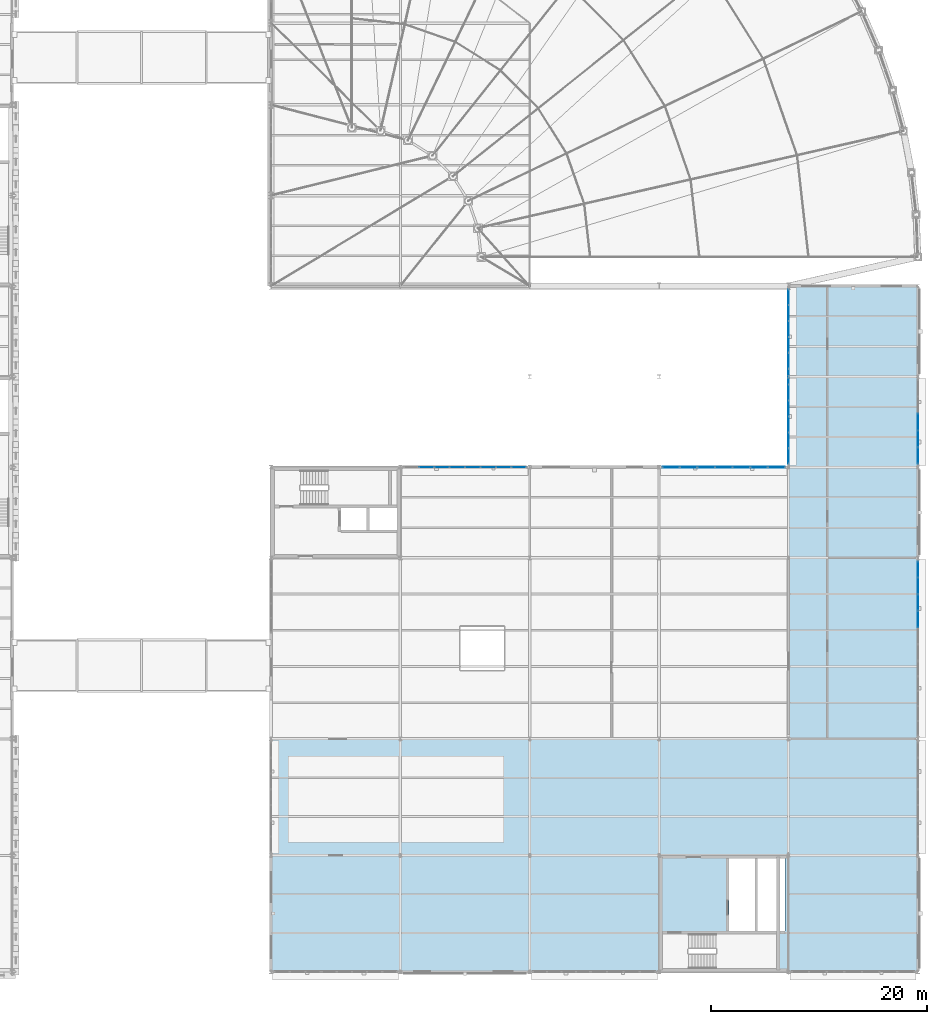
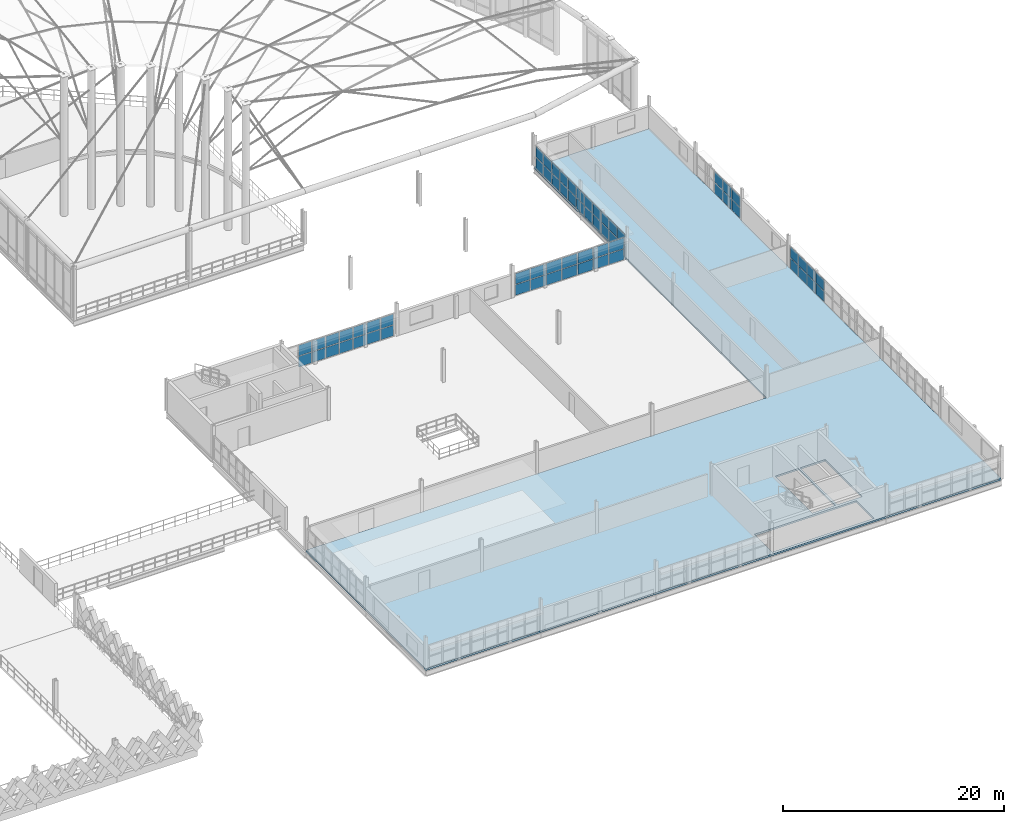
# One storey, part 71 of 101: 64 plates, 1 slab, 5 elements without a shape of their own.
"""IFC4 building model written with IfcOpenShell, lengths in metres."""

from ifc_helpers import new_model, si_unit, direction, frame, origin, origin_2d, place, context, subcontext, project, spatial, polyline, rectangle, outline, extrude, material, layer, layer_set, type_object, element, aggregate, save


model = new_model("IFC4")

# Units and contexts
model_context = context("Model", 3, precision=1e-05, world=origin(), true_north=direction((0.0, 1.0)))
body_context = subcontext(model_context, "Body", "Model", "MODEL_VIEW")
ifc_project = project(units=[si_unit("LENGTHUNIT", "METRE"), si_unit("AREAUNIT", "SQUARE_METRE"), si_unit("VOLUMEUNIT", "CUBIC_METRE"), si_unit("PLANEANGLEUNIT", "RADIAN"), si_unit("MASSUNIT", "GRAM", prefix="KILO"), si_unit("THERMODYNAMICTEMPERATUREUNIT", "KELVIN"), si_unit("POWERUNIT", "WATT")], contexts=[model_context])

# Site, building, storey
site_placement = place(None, origin())
site = spatial("IfcSite", under=ifc_project, at=site_placement, CompositionType="ELEMENT")
building_placement = place(site_placement, origin())
building = spatial("IfcBuilding", under=site, at=building_placement, Name="Tembeka Court Mobility Hub", CompositionType="ELEMENT")
storey_placement = place(building_placement, frame((0.0, 0.0, 5.39990234375)))
storey = spatial("IfcBuildingStorey", under=building, at=storey_placement, Name="L01", CompositionType="ELEMENT", Elevation=5.39990234375)

# Curtain wall, plates
ifc_material_1 = material(Name="Anodised aluminium 6063-T6", Category="aluminium")
ifc_layer_1 = layer(ifc_material_1, 0.159912109375)
ifc_layer_set_1 = layer_set([ifc_layer_1], Name="Anodised aluminium 6063-T6")
curtain_wall_type_1 = type_object("IfcCurtainWallType", Name="CW-SYS45", PredefinedType="USERDEFINED", material=ifc_layer_set_1)
curtain_wall_1_placement = place(storey_placement, origin())
curtain_wall_1 = element("IfcCurtainWall", 1, at=curtain_wall_1_placement, inside=storey, type_object=curtain_wall_type_1, Name="Unitised curtain wall CW45 (CW-L01-113)", ObjectType="UNITISED GLAZING", PredefinedType="USERDEFINED")
ifc_material_2 = material(Name="Laminated solar-control low-E glass", Category="glass")
ifc_layer_2 = layer(ifc_material_2, 0.028076171875)
ifc_layer_set_2 = layer_set([ifc_layer_2], Name="Laminated solar-control low-E glass")
plate_type_1 = type_object("IfcPlateType", Name="PL-CW01", PredefinedType="CURTAIN_PANEL", material=ifc_layer_set_2)
plate_1_placement = place(storey_placement, frame((176.39990234375, 47.88037109375, 0.065185546875), z_axis=(0.0, 0.0, 1.0), x_axis=(0.0, 1.0, 0.0)))
plate_1 = element("IfcPlate", 2, at=plate_1_placement, type_object=plate_type_1, Name="CW45 panel 1.1", PredefinedType="CURTAIN_PANEL", context=body_context, shape_type="SweptSolid", body=[
    extrude(rectangle(XDim=1.470458984375, YDim=0.028076171875, at=origin_2d()), origin(), (0.0, 0.0, 1.0), 1.169921875),
])
plate_2_placement = place(storey_placement, frame((176.39990234375, 47.88037109375, 1.300048828125), z_axis=(0.0, 0.0, 1.0), x_axis=(0.0, 1.0, 0.0)))
plate_2 = element("IfcPlate", 3, at=plate_2_placement, type_object=plate_type_1, Name="CW45 panel 1.2", PredefinedType="CURTAIN_PANEL", context=body_context, shape_type="SweptSolid", body=[
    extrude(rectangle(XDim=1.470458984375, YDim=0.028076171875, at=origin_2d()), origin(), (0.0, 0.0, 1.0), 1.169921875),
])
plate_3_placement = place(storey_placement, frame((176.39990234375, 49.431884765625, 0.065185546875), z_axis=(0.0, 0.0, 1.0), x_axis=(0.0, 1.0, 0.0)))
plate_3 = element("IfcPlate", 4, at=plate_3_placement, type_object=plate_type_1, Name="CW45 panel 2.1", PredefinedType="CURTAIN_PANEL", context=body_context, shape_type="SweptSolid", body=[
    extrude(rectangle(XDim=1.5029296875, YDim=0.028076171875, at=origin_2d()), origin(), (0.0, 0.0, 1.0), 1.169921875),
])
plate_4_placement = place(storey_placement, frame((176.39990234375, 49.431884765625, 1.300048828125), z_axis=(0.0, 0.0, 1.0), x_axis=(0.0, 1.0, 0.0)))
plate_4 = element("IfcPlate", 5, at=plate_4_placement, type_object=plate_type_1, Name="CW45 panel 2.2", PredefinedType="CURTAIN_PANEL", context=body_context, shape_type="SweptSolid", body=[
    extrude(rectangle(XDim=1.5029296875, YDim=0.028076171875, at=origin_2d()), origin(), (0.0, 0.0, 1.0), 1.169921875),
])
plate_5_placement = place(storey_placement, frame((176.39990234375, 51.0, 0.065185546875), z_axis=(0.0, 0.0, 1.0), x_axis=(0.0, 1.0, 0.0)))
plate_5 = element("IfcPlate", 6, at=plate_5_placement, type_object=plate_type_1, Name="CW45 panel 3.1", PredefinedType="CURTAIN_PANEL", context=body_context, shape_type="SweptSolid", body=[
    extrude(rectangle(XDim=1.5029296875, YDim=0.028076171875, at=origin_2d()), origin(), (0.0, 0.0, 1.0), 1.169921875),
])
plate_6_placement = place(storey_placement, frame((176.39990234375, 51.0, 1.300048828125), z_axis=(0.0, 0.0, 1.0), x_axis=(0.0, 1.0, 0.0)))
plate_6 = element("IfcPlate", 7, at=plate_6_placement, type_object=plate_type_1, Name="CW45 panel 3.2", PredefinedType="CURTAIN_PANEL", context=body_context, shape_type="SweptSolid", body=[
    extrude(rectangle(XDim=1.5029296875, YDim=0.028076171875, at=origin_2d()), origin(), (0.0, 0.0, 1.0), 1.169921875),
])
aggregate(curtain_wall_1, [plate_1, plate_2, plate_3, plate_4, plate_5, plate_6])

ifc_layer_3 = layer(ifc_material_1, 0.159912109375)
ifc_layer_set_3 = layer_set([ifc_layer_3], Name="Anodised aluminium 6063-T6")
curtain_wall_type_2 = type_object("IfcCurtainWallType", Name="CW-SYS46", PredefinedType="USERDEFINED", material=ifc_layer_set_3)
curtain_wall_2_placement = place(storey_placement, origin())
curtain_wall_2 = element("IfcCurtainWall", 8, at=curtain_wall_2_placement, inside=storey, type_object=curtain_wall_type_2, Name="Unitised curtain wall CW46 (CW-L01-114)", ObjectType="UNITISED GLAZING", PredefinedType="USERDEFINED")
plate_7_placement = place(storey_placement, frame((164.39990234375, 47.83447265625, 0.065185546875), z_axis=(0.0, 0.0, 1.0), x_axis=(0.0, 1.0, 0.0)))
plate_7 = element("IfcPlate", 9, at=plate_7_placement, type_object=plate_type_1, Name="CW46 panel 1.1", PredefinedType="CURTAIN_PANEL", context=body_context, shape_type="SweptSolid", body=[
    extrude(rectangle(XDim=1.37890625, YDim=0.028076171875, at=origin_2d()), origin(), (0.0, 0.0, 1.0), 1.169921875),
])
plate_8_placement = place(storey_placement, frame((164.39990234375, 47.83447265625, 1.300048828125), z_axis=(0.0, 0.0, 1.0), x_axis=(0.0, 1.0, 0.0)))
plate_8 = element("IfcPlate", 10, at=plate_8_placement, type_object=plate_type_1, Name="CW46 panel 1.2", PredefinedType="CURTAIN_PANEL", context=body_context, shape_type="SweptSolid", body=[
    extrude(rectangle(XDim=1.37890625, YDim=0.028076171875, at=origin_2d()), origin(), (0.0, 0.0, 1.0), 1.169921875),
])
plate_9_placement = place(storey_placement, frame((164.39990234375, 49.29443359375, 0.065185546875), z_axis=(0.0, 0.0, 1.0), x_axis=(0.0, 1.0, 0.0)))
plate_9 = element("IfcPlate", 11, at=plate_9_placement, type_object=plate_type_1, Name="CW46 panel 2.1", PredefinedType="CURTAIN_PANEL", context=body_context, shape_type="SweptSolid", body=[
    extrude(rectangle(XDim=1.411376953125, YDim=0.028076171875, at=origin_2d()), origin(), (0.0, 0.0, 1.0), 1.169921875),
])
plate_10_placement = place(storey_placement, frame((164.39990234375, 49.29443359375, 1.300048828125), z_axis=(0.0, 0.0, 1.0), x_axis=(0.0, 1.0, 0.0)))
plate_10 = element("IfcPlate", 12, at=plate_10_placement, type_object=plate_type_1, Name="CW46 panel 2.2", PredefinedType="CURTAIN_PANEL", context=body_context, shape_type="SweptSolid", body=[
    extrude(rectangle(XDim=1.411376953125, YDim=0.028076171875, at=origin_2d()), origin(), (0.0, 0.0, 1.0), 1.169921875),
])
plate_11_placement = place(storey_placement, frame((164.39990234375, 50.77099609375, 0.065185546875), z_axis=(0.0, 0.0, 1.0), x_axis=(0.0, 1.0, 0.0)))
plate_11 = element("IfcPlate", 13, at=plate_11_placement, type_object=plate_type_1, Name="CW46 panel 3.1", PredefinedType="CURTAIN_PANEL", context=body_context, shape_type="SweptSolid", body=[
    extrude(rectangle(XDim=1.411376953125, YDim=0.028076171875, at=origin_2d()), origin(), (0.0, 0.0, 1.0), 1.169921875),
])
plate_12_placement = place(storey_placement, frame((164.39990234375, 50.77099609375, 1.300048828125), z_axis=(0.0, 0.0, 1.0), x_axis=(0.0, 1.0, 0.0)))
plate_12 = element("IfcPlate", 14, at=plate_12_placement, type_object=plate_type_1, Name="CW46 panel 3.2", PredefinedType="CURTAIN_PANEL", context=body_context, shape_type="SweptSolid", body=[
    extrude(rectangle(XDim=1.411376953125, YDim=0.028076171875, at=origin_2d()), origin(), (0.0, 0.0, 1.0), 1.169921875),
])
plate_13_placement = place(storey_placement, frame((164.39990234375, 52.247314453125, 0.065185546875), z_axis=(0.0, 0.0, 1.0), x_axis=(0.0, 1.0, 0.0)))
plate_13 = element("IfcPlate", 15, at=plate_13_placement, type_object=plate_type_1, Name="CW46 panel 4.1", PredefinedType="CURTAIN_PANEL", context=body_context, shape_type="SweptSolid", body=[
    extrude(rectangle(XDim=1.411376953125, YDim=0.028076171875, at=origin_2d()), origin(), (0.0, 0.0, 1.0), 1.169921875),
])
plate_14_placement = place(storey_placement, frame((164.39990234375, 52.247314453125, 1.300048828125), z_axis=(0.0, 0.0, 1.0), x_axis=(0.0, 1.0, 0.0)))
plate_14 = element("IfcPlate", 16, at=plate_14_placement, type_object=plate_type_1, Name="CW46 panel 4.2", PredefinedType="CURTAIN_PANEL", context=body_context, shape_type="SweptSolid", body=[
    extrude(rectangle(XDim=1.411376953125, YDim=0.028076171875, at=origin_2d()), origin(), (0.0, 0.0, 1.0), 1.169921875),
])
plate_15_placement = place(storey_placement, frame((164.39990234375, 53.7236328125, 0.065185546875), z_axis=(0.0, 0.0, 1.0), x_axis=(0.0, 1.0, 0.0)))
plate_15 = element("IfcPlate", 17, at=plate_15_placement, type_object=plate_type_1, Name="CW46 panel 5.1", PredefinedType="CURTAIN_PANEL", context=body_context, shape_type="SweptSolid", body=[
    extrude(rectangle(XDim=1.411376953125, YDim=0.028076171875, at=origin_2d()), origin(), (0.0, 0.0, 1.0), 1.169921875),
])
plate_16_placement = place(storey_placement, frame((164.39990234375, 53.7236328125, 1.300048828125), z_axis=(0.0, 0.0, 1.0), x_axis=(0.0, 1.0, 0.0)))
plate_16 = element("IfcPlate", 18, at=plate_16_placement, type_object=plate_type_1, Name="CW46 panel 5.2", PredefinedType="CURTAIN_PANEL", context=body_context, shape_type="SweptSolid", body=[
    extrude(rectangle(XDim=1.411376953125, YDim=0.028076171875, at=origin_2d()), origin(), (0.0, 0.0, 1.0), 1.169921875),
])
plate_17_placement = place(storey_placement, frame((164.39990234375, 55.199951171875, 0.065185546875), z_axis=(0.0, 0.0, 1.0), x_axis=(0.0, 1.0, 0.0)))
plate_17 = element("IfcPlate", 19, at=plate_17_placement, type_object=plate_type_1, Name="CW46 panel 6.1", PredefinedType="CURTAIN_PANEL", context=body_context, shape_type="SweptSolid", body=[
    extrude(rectangle(XDim=1.411376953125, YDim=0.028076171875, at=origin_2d()), origin(), (0.0, 0.0, 1.0), 1.169921875),
])
plate_18_placement = place(storey_placement, frame((164.39990234375, 55.199951171875, 1.300048828125), z_axis=(0.0, 0.0, 1.0), x_axis=(0.0, 1.0, 0.0)))
plate_18 = element("IfcPlate", 20, at=plate_18_placement, type_object=plate_type_1, Name="CW46 panel 6.2", PredefinedType="CURTAIN_PANEL", context=body_context, shape_type="SweptSolid", body=[
    extrude(rectangle(XDim=1.411376953125, YDim=0.028076171875, at=origin_2d()), origin(), (0.0, 0.0, 1.0), 1.169921875),
])
plate_19_placement = place(storey_placement, frame((164.39990234375, 56.67626953125, 0.065185546875), z_axis=(0.0, 0.0, 1.0), x_axis=(0.0, 1.0, 0.0)))
plate_19 = element("IfcPlate", 21, at=plate_19_placement, type_object=plate_type_1, Name="CW46 panel 7.1", PredefinedType="CURTAIN_PANEL", context=body_context, shape_type="SweptSolid", body=[
    extrude(rectangle(XDim=1.411376953125, YDim=0.028076171875, at=origin_2d()), origin(), (0.0, 0.0, 1.0), 1.169921875),
])
plate_20_placement = place(storey_placement, frame((164.39990234375, 56.67626953125, 1.300048828125), z_axis=(0.0, 0.0, 1.0), x_axis=(0.0, 1.0, 0.0)))
plate_20 = element("IfcPlate", 22, at=plate_20_placement, type_object=plate_type_1, Name="CW46 panel 7.2", PredefinedType="CURTAIN_PANEL", context=body_context, shape_type="SweptSolid", body=[
    extrude(rectangle(XDim=1.411376953125, YDim=0.028076171875, at=origin_2d()), origin(), (0.0, 0.0, 1.0), 1.169921875),
])
plate_21_placement = place(storey_placement, frame((164.39990234375, 58.15283203125, 0.065185546875), z_axis=(0.0, 0.0, 1.0), x_axis=(0.0, 1.0, 0.0)))
plate_21 = element("IfcPlate", 23, at=plate_21_placement, type_object=plate_type_1, Name="CW46 panel 8.1", PredefinedType="CURTAIN_PANEL", context=body_context, shape_type="SweptSolid", body=[
    extrude(rectangle(XDim=1.411376953125, YDim=0.028076171875, at=origin_2d()), origin(), (0.0, 0.0, 1.0), 1.169921875),
])
plate_22_placement = place(storey_placement, frame((164.39990234375, 58.15283203125, 1.300048828125), z_axis=(0.0, 0.0, 1.0), x_axis=(0.0, 1.0, 0.0)))
plate_22 = element("IfcPlate", 24, at=plate_22_placement, type_object=plate_type_1, Name="CW46 panel 8.2", PredefinedType="CURTAIN_PANEL", context=body_context, shape_type="SweptSolid", body=[
    extrude(rectangle(XDim=1.411376953125, YDim=0.028076171875, at=origin_2d()), origin(), (0.0, 0.0, 1.0), 1.169921875),
])
plate_23_placement = place(storey_placement, frame((164.39990234375, 59.629150390625, 0.065185546875), z_axis=(0.0, 0.0, 1.0), x_axis=(0.0, 1.0, 0.0)))
plate_23 = element("IfcPlate", 25, at=plate_23_placement, type_object=plate_type_1, Name="CW46 panel 9.1", PredefinedType="CURTAIN_PANEL", context=body_context, shape_type="SweptSolid", body=[
    extrude(rectangle(XDim=1.411376953125, YDim=0.028076171875, at=origin_2d()), origin(), (0.0, 0.0, 1.0), 1.169921875),
])
plate_24_placement = place(storey_placement, frame((164.39990234375, 59.629150390625, 1.300048828125), z_axis=(0.0, 0.0, 1.0), x_axis=(0.0, 1.0, 0.0)))
plate_24 = element("IfcPlate", 26, at=plate_24_placement, type_object=plate_type_1, Name="CW46 panel 9.2", PredefinedType="CURTAIN_PANEL", context=body_context, shape_type="SweptSolid", body=[
    extrude(rectangle(XDim=1.411376953125, YDim=0.028076171875, at=origin_2d()), origin(), (0.0, 0.0, 1.0), 1.169921875),
])
plate_25_placement = place(storey_placement, frame((164.39990234375, 61.10546875, 0.065185546875), z_axis=(0.0, 0.0, 1.0), x_axis=(0.0, 1.0, 0.0)))
plate_25 = element("IfcPlate", 27, at=plate_25_placement, type_object=plate_type_1, Name="CW46 panel 10.1", PredefinedType="CURTAIN_PANEL", context=body_context, shape_type="SweptSolid", body=[
    extrude(rectangle(XDim=1.411376953125, YDim=0.028076171875, at=origin_2d()), origin(), (0.0, 0.0, 1.0), 1.169921875),
])
plate_26_placement = place(storey_placement, frame((164.39990234375, 61.10546875, 1.300048828125), z_axis=(0.0, 0.0, 1.0), x_axis=(0.0, 1.0, 0.0)))
plate_26 = element("IfcPlate", 28, at=plate_26_placement, type_object=plate_type_1, Name="CW46 panel 10.2", PredefinedType="CURTAIN_PANEL", context=body_context, shape_type="SweptSolid", body=[
    extrude(rectangle(XDim=1.411376953125, YDim=0.028076171875, at=origin_2d()), origin(), (0.0, 0.0, 1.0), 1.169921875),
])
plate_27_placement = place(storey_placement, frame((164.39990234375, 62.565673828125, 0.065185546875), z_axis=(0.0, 0.0, 1.0), x_axis=(0.0, 1.0, 0.0)))
plate_27 = element("IfcPlate", 29, at=plate_27_placement, type_object=plate_type_1, Name="CW46 panel 11.1", PredefinedType="CURTAIN_PANEL", context=body_context, shape_type="SweptSolid", body=[
    extrude(rectangle(XDim=1.37890625, YDim=0.028076171875, at=origin_2d()), origin(), (0.0, 0.0, 1.0), 1.169921875),
])
plate_28_placement = place(storey_placement, frame((164.39990234375, 62.565673828125, 1.300048828125), z_axis=(0.0, 0.0, 1.0), x_axis=(0.0, 1.0, 0.0)))
plate_28 = element("IfcPlate", 30, at=plate_28_placement, type_object=plate_type_1, Name="CW46 panel 11.2", PredefinedType="CURTAIN_PANEL", context=body_context, shape_type="SweptSolid", body=[
    extrude(rectangle(XDim=1.37890625, YDim=0.028076171875, at=origin_2d()), origin(), (0.0, 0.0, 1.0), 1.169921875),
])
aggregate(curtain_wall_2, [plate_7, plate_8, plate_9, plate_10, plate_11, plate_12, plate_13, plate_14, plate_15, plate_16, plate_17, plate_18, plate_19, plate_20, plate_21, plate_22, plate_23, plate_24, plate_25, plate_26, plate_27, plate_28])

ifc_layer_4 = layer(ifc_material_1, 0.159912109375)
ifc_layer_set_4 = layer_set([ifc_layer_4], Name="Anodised aluminium 6063-T6")
curtain_wall_type_3 = type_object("IfcCurtainWallType", Name="CW-SYS41", PredefinedType="USERDEFINED", material=ifc_layer_set_4)
curtain_wall_3_placement = place(storey_placement, origin())
curtain_wall_3 = element("IfcCurtainWall", 31, at=curtain_wall_3_placement, inside=storey, type_object=curtain_wall_type_3, Name="Unitised curtain wall CW41 (CW-L01-115)", ObjectType="UNITISED GLAZING", PredefinedType="USERDEFINED")
plate_29_placement = place(storey_placement, frame((130.824951171875, 46.800048828125, 0.065185546875), z_axis=(0.0, 0.0, 1.0), x_axis=(1.0, 0.0, 0.0)))
plate_29 = element("IfcPlate", 32, at=plate_29_placement, type_object=plate_type_1, Name="CW41 panel 2.1", PredefinedType="CURTAIN_PANEL", context=body_context, shape_type="SweptSolid", body=[
    extrude(rectangle(XDim=1.364990234375, YDim=0.028076171875, at=origin_2d()), origin(), (0.0, 0.0, 1.0), 1.169921875),
])
plate_30_placement = place(storey_placement, frame((130.824951171875, 46.800048828125, 1.300048828125), z_axis=(0.0, 0.0, 1.0), x_axis=(1.0, 0.0, 0.0)))
plate_30 = element("IfcPlate", 33, at=plate_30_placement, type_object=plate_type_1, Name="CW41 panel 2.2", PredefinedType="CURTAIN_PANEL", context=body_context, shape_type="SweptSolid", body=[
    extrude(rectangle(XDim=1.364990234375, YDim=0.028076171875, at=origin_2d()), origin(), (0.0, 0.0, 1.0), 1.169921875),
])
plate_31_placement = place(storey_placement, frame((132.2548828125, 46.800048828125, 0.065185546875), z_axis=(0.0, 0.0, 1.0), x_axis=(1.0, 0.0, 0.0)))
plate_31 = element("IfcPlate", 34, at=plate_31_placement, type_object=plate_type_1, Name="CW41 panel 3.1", PredefinedType="CURTAIN_PANEL", context=body_context, shape_type="SweptSolid", body=[
    extrude(rectangle(XDim=1.364990234375, YDim=0.028076171875, at=origin_2d()), origin(), (0.0, 0.0, 1.0), 1.169921875),
])
plate_32_placement = place(storey_placement, frame((132.2548828125, 46.800048828125, 1.300048828125), z_axis=(0.0, 0.0, 1.0), x_axis=(1.0, 0.0, 0.0)))
plate_32 = element("IfcPlate", 35, at=plate_32_placement, type_object=plate_type_1, Name="CW41 panel 3.2", PredefinedType="CURTAIN_PANEL", context=body_context, shape_type="SweptSolid", body=[
    extrude(rectangle(XDim=1.364990234375, YDim=0.028076171875, at=origin_2d()), origin(), (0.0, 0.0, 1.0), 1.169921875),
])
plate_33_placement = place(storey_placement, frame((133.68505859375, 46.800048828125, 0.065185546875), z_axis=(0.0, 0.0, 1.0), x_axis=(1.0, 0.0, 0.0)))
plate_33 = element("IfcPlate", 36, at=plate_33_placement, type_object=plate_type_1, Name="CW41 panel 4.1", PredefinedType="CURTAIN_PANEL", context=body_context, shape_type="SweptSolid", body=[
    extrude(rectangle(XDim=1.364990234375, YDim=0.028076171875, at=origin_2d()), origin(), (0.0, 0.0, 1.0), 1.169921875),
])
plate_34_placement = place(storey_placement, frame((133.68505859375, 46.800048828125, 1.300048828125), z_axis=(0.0, 0.0, 1.0), x_axis=(1.0, 0.0, 0.0)))
plate_34 = element("IfcPlate", 37, at=plate_34_placement, type_object=plate_type_1, Name="CW41 panel 4.2", PredefinedType="CURTAIN_PANEL", context=body_context, shape_type="SweptSolid", body=[
    extrude(rectangle(XDim=1.364990234375, YDim=0.028076171875, at=origin_2d()), origin(), (0.0, 0.0, 1.0), 1.169921875),
])
plate_35_placement = place(storey_placement, frame((135.114990234375, 46.800048828125, 0.065185546875), z_axis=(0.0, 0.0, 1.0), x_axis=(1.0, 0.0, 0.0)))
plate_35 = element("IfcPlate", 38, at=plate_35_placement, type_object=plate_type_1, Name="CW41 panel 5.1", PredefinedType="CURTAIN_PANEL", context=body_context, shape_type="SweptSolid", body=[
    extrude(rectangle(XDim=1.364990234375, YDim=0.028076171875, at=origin_2d()), origin(), (0.0, 0.0, 1.0), 1.169921875),
])
plate_36_placement = place(storey_placement, frame((135.114990234375, 46.800048828125, 1.300048828125), z_axis=(0.0, 0.0, 1.0), x_axis=(1.0, 0.0, 0.0)))
plate_36 = element("IfcPlate", 39, at=plate_36_placement, type_object=plate_type_1, Name="CW41 panel 5.2", PredefinedType="CURTAIN_PANEL", context=body_context, shape_type="SweptSolid", body=[
    extrude(rectangle(XDim=1.364990234375, YDim=0.028076171875, at=origin_2d()), origin(), (0.0, 0.0, 1.0), 1.169921875),
])
plate_37_placement = place(storey_placement, frame((136.544921875, 46.800048828125, 0.065185546875), z_axis=(0.0, 0.0, 1.0), x_axis=(1.0, 0.0, 0.0)))
plate_37 = element("IfcPlate", 40, at=plate_37_placement, type_object=plate_type_1, Name="CW41 panel 6.1", PredefinedType="CURTAIN_PANEL", context=body_context, shape_type="SweptSolid", body=[
    extrude(rectangle(XDim=1.364990234375, YDim=0.028076171875, at=origin_2d()), origin(), (0.0, 0.0, 1.0), 1.169921875),
])
plate_38_placement = place(storey_placement, frame((136.544921875, 46.800048828125, 1.300048828125), z_axis=(0.0, 0.0, 1.0), x_axis=(1.0, 0.0, 0.0)))
plate_38 = element("IfcPlate", 41, at=plate_38_placement, type_object=plate_type_1, Name="CW41 panel 6.2", PredefinedType="CURTAIN_PANEL", context=body_context, shape_type="SweptSolid", body=[
    extrude(rectangle(XDim=1.364990234375, YDim=0.028076171875, at=origin_2d()), origin(), (0.0, 0.0, 1.0), 1.169921875),
])
plate_39_placement = place(storey_placement, frame((137.97509765625, 46.800048828125, 0.065185546875), z_axis=(0.0, 0.0, 1.0), x_axis=(1.0, 0.0, 0.0)))
plate_39 = element("IfcPlate", 42, at=plate_39_placement, type_object=plate_type_1, Name="CW41 panel 7.1", PredefinedType="CURTAIN_PANEL", context=body_context, shape_type="SweptSolid", body=[
    extrude(rectangle(XDim=1.364990234375, YDim=0.028076171875, at=origin_2d()), origin(), (0.0, 0.0, 1.0), 1.169921875),
])
plate_40_placement = place(storey_placement, frame((137.97509765625, 46.800048828125, 1.300048828125), z_axis=(0.0, 0.0, 1.0), x_axis=(1.0, 0.0, 0.0)))
plate_40 = element("IfcPlate", 43, at=plate_40_placement, type_object=plate_type_1, Name="CW41 panel 7.2", PredefinedType="CURTAIN_PANEL", context=body_context, shape_type="SweptSolid", body=[
    extrude(rectangle(XDim=1.364990234375, YDim=0.028076171875, at=origin_2d()), origin(), (0.0, 0.0, 1.0), 1.169921875),
])
plate_41_placement = place(storey_placement, frame((139.388671875, 46.800048828125, 0.065185546875), z_axis=(0.0, 0.0, 1.0), x_axis=(1.0, 0.0, 0.0)))
plate_41 = element("IfcPlate", 44, at=plate_41_placement, type_object=plate_type_1, Name="CW41 panel 8.1", PredefinedType="CURTAIN_PANEL", context=body_context, shape_type="SweptSolid", body=[
    extrude(rectangle(XDim=1.33251953125, YDim=0.028076171875, at=origin_2d()), origin(), (0.0, 0.0, 1.0), 1.169921875),
])
plate_42_placement = place(storey_placement, frame((139.388671875, 46.800048828125, 1.300048828125), z_axis=(0.0, 0.0, 1.0), x_axis=(1.0, 0.0, 0.0)))
plate_42 = element("IfcPlate", 45, at=plate_42_placement, type_object=plate_type_1, Name="CW41 panel 8.2", PredefinedType="CURTAIN_PANEL", context=body_context, shape_type="SweptSolid", body=[
    extrude(rectangle(XDim=1.33251953125, YDim=0.028076171875, at=origin_2d()), origin(), (0.0, 0.0, 1.0), 1.169921875),
])
aggregate(curtain_wall_3, [plate_29, plate_30, plate_31, plate_32, plate_33, plate_34, plate_35, plate_36, plate_37, plate_38, plate_39, plate_40, plate_41, plate_42])

ifc_layer_5 = layer(ifc_material_1, 0.159912109375)
ifc_layer_set_5 = layer_set([ifc_layer_5], Name="Anodised aluminium 6063-T6")
curtain_wall_type_4 = type_object("IfcCurtainWallType", Name="CW-SYS44", PredefinedType="USERDEFINED", material=ifc_layer_set_5)
curtain_wall_4_placement = place(storey_placement, origin())
curtain_wall_4 = element("IfcCurtainWall", 46, at=curtain_wall_4_placement, inside=storey, type_object=curtain_wall_type_4, Name="Unitised curtain wall CW44 (CW-L01-112)", ObjectType="UNITISED GLAZING", PredefinedType="USERDEFINED")
ifc_material_3 = material(Name="Insulated aluminium spandrel panel", Category="aluminium")
ifc_layer_6 = layer(ifc_material_3, 0.052001953125)
ifc_layer_set_6 = layer_set([ifc_layer_6], Name="Insulated aluminium spandrel panel")
plate_type_2 = type_object("IfcPlateType", Name="PL-CW02", PredefinedType="CURTAIN_PANEL", material=ifc_layer_set_6)
plate_43_placement = place(storey_placement, frame((176.39990234375, 32.708984375, 0.065185546875), z_axis=(0.0, 0.0, 1.0), x_axis=(0.0, 1.0, 0.0)))
plate_43 = element("IfcPlate", 47, at=plate_43_placement, type_object=plate_type_2, Name="CW44 panel 3.1", PredefinedType="CURTAIN_PANEL", context=body_context, shape_type="SweptSolid", body=[
    extrude(rectangle(XDim=1.48095703125, YDim=0.052001953125, at=origin_2d()), origin(), (0.0, 0.0, 1.0), 1.169921875),
])
plate_44_placement = place(storey_placement, frame((176.39990234375, 32.708984375, 1.300048828125), z_axis=(0.0, 0.0, 1.0), x_axis=(0.0, 1.0, 0.0)))
plate_44 = element("IfcPlate", 48, at=plate_44_placement, type_object=plate_type_2, Name="CW44 panel 3.2", PredefinedType="CURTAIN_PANEL", context=body_context, shape_type="SweptSolid", body=[
    extrude(rectangle(XDim=1.48095703125, YDim=0.052001953125, at=origin_2d()), origin(), (0.0, 0.0, 1.0), 1.169921875),
])
plate_45_placement = place(storey_placement, frame((176.39990234375, 34.2548828125, 0.065185546875), z_axis=(0.0, 0.0, 1.0), x_axis=(0.0, 1.0, 0.0)))
plate_45 = element("IfcPlate", 49, at=plate_45_placement, type_object=plate_type_2, Name="CW44 panel 4.1", PredefinedType="CURTAIN_PANEL", context=body_context, shape_type="SweptSolid", body=[
    extrude(rectangle(XDim=1.48095703125, YDim=0.052001953125, at=origin_2d()), origin(), (0.0, 0.0, 1.0), 1.169921875),
])
plate_46_placement = place(storey_placement, frame((176.39990234375, 34.2548828125, 1.300048828125), z_axis=(0.0, 0.0, 1.0), x_axis=(0.0, 1.0, 0.0)))
plate_46 = element("IfcPlate", 50, at=plate_46_placement, type_object=plate_type_2, Name="CW44 panel 4.2", PredefinedType="CURTAIN_PANEL", context=body_context, shape_type="SweptSolid", body=[
    extrude(rectangle(XDim=1.48095703125, YDim=0.052001953125, at=origin_2d()), origin(), (0.0, 0.0, 1.0), 1.169921875),
])
plate_47_placement = place(storey_placement, frame((176.39990234375, 35.801025390625, 0.065185546875), z_axis=(0.0, 0.0, 1.0), x_axis=(0.0, 1.0, 0.0)))
plate_47 = element("IfcPlate", 51, at=plate_47_placement, type_object=plate_type_2, Name="CW44 panel 5.1", PredefinedType="CURTAIN_PANEL", context=body_context, shape_type="SweptSolid", body=[
    extrude(rectangle(XDim=1.48095703125, YDim=0.052001953125, at=origin_2d()), origin(), (0.0, 0.0, 1.0), 1.169921875),
])
plate_48_placement = place(storey_placement, frame((176.39990234375, 35.801025390625, 1.300048828125), z_axis=(0.0, 0.0, 1.0), x_axis=(0.0, 1.0, 0.0)))
plate_48 = element("IfcPlate", 52, at=plate_48_placement, type_object=plate_type_2, Name="CW44 panel 5.2", PredefinedType="CURTAIN_PANEL", context=body_context, shape_type="SweptSolid", body=[
    extrude(rectangle(XDim=1.48095703125, YDim=0.052001953125, at=origin_2d()), origin(), (0.0, 0.0, 1.0), 1.169921875),
])
plate_49_placement = place(storey_placement, frame((176.39990234375, 37.330810546875, 0.065185546875), z_axis=(0.0, 0.0, 1.0), x_axis=(0.0, 1.0, 0.0)))
plate_49 = element("IfcPlate", 53, at=plate_49_placement, type_object=plate_type_2, Name="CW44 panel 6.1", PredefinedType="CURTAIN_PANEL", context=body_context, shape_type="SweptSolid", body=[
    extrude(rectangle(XDim=1.448486328125, YDim=0.052001953125, at=origin_2d()), origin(), (0.0, 0.0, 1.0), 1.169921875),
])
plate_50_placement = place(storey_placement, frame((176.39990234375, 37.330810546875, 1.300048828125), z_axis=(0.0, 0.0, 1.0), x_axis=(0.0, 1.0, 0.0)))
plate_50 = element("IfcPlate", 54, at=plate_50_placement, type_object=plate_type_2, Name="CW44 panel 6.2", PredefinedType="CURTAIN_PANEL", context=body_context, shape_type="SweptSolid", body=[
    extrude(rectangle(XDim=1.448486328125, YDim=0.052001953125, at=origin_2d()), origin(), (0.0, 0.0, 1.0), 1.169921875),
])
aggregate(curtain_wall_4, [plate_43, plate_44, plate_45, plate_46, plate_47, plate_48, plate_49, plate_50])

curtain_wall_5_placement = place(storey_placement, origin())
curtain_wall_5 = element("IfcCurtainWall", 55, at=curtain_wall_5_placement, inside=storey, type_object=curtain_wall_type_3, Name="Unitised curtain wall CW41 (CW-L01-116)", ObjectType="UNITISED GLAZING", PredefinedType="USERDEFINED")
plate_51_placement = place(storey_placement, frame((153.513427734375, 46.800048828125, 0.065185546875), z_axis=(0.0, 0.0, 1.0), x_axis=(1.0, 0.0, 0.0)))
plate_51 = element("IfcPlate", 56, at=plate_51_placement, type_object=plate_type_2, Name="CW41 panel 1.1", PredefinedType="CURTAIN_PANEL", context=body_context, shape_type="SweptSolid", body=[
    extrude(rectangle(XDim=1.536865234375, YDim=0.052001953125, at=origin_2d()), origin(), (0.0, 0.0, 1.0), 1.169921875),
])
plate_52_placement = place(storey_placement, frame((153.513427734375, 46.800048828125, 1.300048828125), z_axis=(0.0, 0.0, 1.0), x_axis=(1.0, 0.0, 0.0)))
plate_52 = element("IfcPlate", 57, at=plate_52_placement, type_object=plate_type_2, Name="CW41 panel 1.2", PredefinedType="CURTAIN_PANEL", context=body_context, shape_type="SweptSolid", body=[
    extrude(rectangle(XDim=1.536865234375, YDim=0.052001953125, at=origin_2d()), origin(), (0.0, 0.0, 1.0), 1.169921875),
])
plate_53_placement = place(storey_placement, frame((155.13134765625, 46.800048828125, 0.065185546875), z_axis=(0.0, 0.0, 1.0), x_axis=(1.0, 0.0, 0.0)))
plate_53 = element("IfcPlate", 58, at=plate_53_placement, type_object=plate_type_2, Name="CW41 panel 2.1", PredefinedType="CURTAIN_PANEL", context=body_context, shape_type="SweptSolid", body=[
    extrude(rectangle(XDim=1.5693359375, YDim=0.052001953125, at=origin_2d()), origin(), (0.0, 0.0, 1.0), 1.169921875),
])
plate_54_placement = place(storey_placement, frame((155.13134765625, 46.800048828125, 1.300048828125), z_axis=(0.0, 0.0, 1.0), x_axis=(1.0, 0.0, 0.0)))
plate_54 = element("IfcPlate", 59, at=plate_54_placement, type_object=plate_type_2, Name="CW41 panel 2.2", PredefinedType="CURTAIN_PANEL", context=body_context, shape_type="SweptSolid", body=[
    extrude(rectangle(XDim=1.5693359375, YDim=0.052001953125, at=origin_2d()), origin(), (0.0, 0.0, 1.0), 1.169921875),
])
plate_55_placement = place(storey_placement, frame((156.765625, 46.800048828125, 0.065185546875), z_axis=(0.0, 0.0, 1.0), x_axis=(1.0, 0.0, 0.0)))
plate_55 = element("IfcPlate", 60, at=plate_55_placement, type_object=plate_type_2, Name="CW41 panel 3.1", PredefinedType="CURTAIN_PANEL", context=body_context, shape_type="SweptSolid", body=[
    extrude(rectangle(XDim=1.5693359375, YDim=0.052001953125, at=origin_2d()), origin(), (0.0, 0.0, 1.0), 1.169921875),
])
plate_56_placement = place(storey_placement, frame((156.765625, 46.800048828125, 1.300048828125), z_axis=(0.0, 0.0, 1.0), x_axis=(1.0, 0.0, 0.0)))
plate_56 = element("IfcPlate", 61, at=plate_56_placement, type_object=plate_type_2, Name="CW41 panel 3.2", PredefinedType="CURTAIN_PANEL", context=body_context, shape_type="SweptSolid", body=[
    extrude(rectangle(XDim=1.5693359375, YDim=0.052001953125, at=origin_2d()), origin(), (0.0, 0.0, 1.0), 1.169921875),
])
plate_57_placement = place(storey_placement, frame((158.39990234375, 46.800048828125, 0.065185546875), z_axis=(0.0, 0.0, 1.0), x_axis=(1.0, 0.0, 0.0)))
plate_57 = element("IfcPlate", 62, at=plate_57_placement, type_object=plate_type_2, Name="CW41 panel 4.1", PredefinedType="CURTAIN_PANEL", context=body_context, shape_type="SweptSolid", body=[
    extrude(rectangle(XDim=1.5693359375, YDim=0.052001953125, at=origin_2d()), origin(), (0.0, 0.0, 1.0), 1.169921875),
])
plate_58_placement = place(storey_placement, frame((158.39990234375, 46.800048828125, 1.300048828125), z_axis=(0.0, 0.0, 1.0), x_axis=(1.0, 0.0, 0.0)))
plate_58 = element("IfcPlate", 63, at=plate_58_placement, type_object=plate_type_2, Name="CW41 panel 4.2", PredefinedType="CURTAIN_PANEL", context=body_context, shape_type="SweptSolid", body=[
    extrude(rectangle(XDim=1.5693359375, YDim=0.052001953125, at=origin_2d()), origin(), (0.0, 0.0, 1.0), 1.169921875),
])
plate_59_placement = place(storey_placement, frame((160.0341796875, 46.800048828125, 0.065185546875), z_axis=(0.0, 0.0, 1.0), x_axis=(1.0, 0.0, 0.0)))
plate_59 = element("IfcPlate", 64, at=plate_59_placement, type_object=plate_type_2, Name="CW41 panel 5.1", PredefinedType="CURTAIN_PANEL", context=body_context, shape_type="SweptSolid", body=[
    extrude(rectangle(XDim=1.5693359375, YDim=0.052001953125, at=origin_2d()), origin(), (0.0, 0.0, 1.0), 1.169921875),
])
plate_60_placement = place(storey_placement, frame((160.0341796875, 46.800048828125, 1.300048828125), z_axis=(0.0, 0.0, 1.0), x_axis=(1.0, 0.0, 0.0)))
plate_60 = element("IfcPlate", 65, at=plate_60_placement, type_object=plate_type_2, Name="CW41 panel 5.2", PredefinedType="CURTAIN_PANEL", context=body_context, shape_type="SweptSolid", body=[
    extrude(rectangle(XDim=1.5693359375, YDim=0.052001953125, at=origin_2d()), origin(), (0.0, 0.0, 1.0), 1.169921875),
])
plate_61_placement = place(storey_placement, frame((161.66845703125, 46.800048828125, 0.065185546875), z_axis=(0.0, 0.0, 1.0), x_axis=(1.0, 0.0, 0.0)))
plate_61 = element("IfcPlate", 66, at=plate_61_placement, type_object=plate_type_2, Name="CW41 panel 6.1", PredefinedType="CURTAIN_PANEL", context=body_context, shape_type="SweptSolid", body=[
    extrude(rectangle(XDim=1.5693359375, YDim=0.052001953125, at=origin_2d()), origin(), (0.0, 0.0, 1.0), 1.169921875),
])
plate_62_placement = place(storey_placement, frame((161.66845703125, 46.800048828125, 1.300048828125), z_axis=(0.0, 0.0, 1.0), x_axis=(1.0, 0.0, 0.0)))
plate_62 = element("IfcPlate", 67, at=plate_62_placement, type_object=plate_type_2, Name="CW41 panel 6.2", PredefinedType="CURTAIN_PANEL", context=body_context, shape_type="SweptSolid", body=[
    extrude(rectangle(XDim=1.5693359375, YDim=0.052001953125, at=origin_2d()), origin(), (0.0, 0.0, 1.0), 1.169921875),
])
plate_63_placement = place(storey_placement, frame((163.28662109375, 46.800048828125, 0.065185546875), z_axis=(0.0, 0.0, 1.0), x_axis=(1.0, 0.0, 0.0)))
plate_63 = element("IfcPlate", 68, at=plate_63_placement, type_object=plate_type_2, Name="CW41 panel 7.1", PredefinedType="CURTAIN_PANEL", context=body_context, shape_type="SweptSolid", body=[
    extrude(rectangle(XDim=1.536865234375, YDim=0.052001953125, at=origin_2d()), origin(), (0.0, 0.0, 1.0), 1.169921875),
])
plate_64_placement = place(storey_placement, frame((163.28662109375, 46.800048828125, 1.300048828125), z_axis=(0.0, 0.0, 1.0), x_axis=(1.0, 0.0, 0.0)))
plate_64 = element("IfcPlate", 69, at=plate_64_placement, type_object=plate_type_2, Name="CW41 panel 7.2", PredefinedType="CURTAIN_PANEL", context=body_context, shape_type="SweptSolid", body=[
    extrude(rectangle(XDim=1.536865234375, YDim=0.052001953125, at=origin_2d()), origin(), (0.0, 0.0, 1.0), 1.169921875),
])
aggregate(curtain_wall_5, [plate_51, plate_52, plate_53, plate_54, plate_55, plate_56, plate_57, plate_58, plate_59, plate_60, plate_61, plate_62, plate_63, plate_64])

# Slab
ifc_material_4 = material(Name="Concrete C40/50", Category="concrete")
ifc_layer_7 = layer(ifc_material_4, 0.18994140625)
ifc_layer_set_7 = layer_set([ifc_layer_7], Name="Concrete C40/50")
slab_type = type_object("IfcSlabType", Name="SL-FL03", PredefinedType="FLOOR", material=ifc_layer_set_7)
slab_placement = place(storey_placement, frame((0.0, 0.0, -0.18994140625)))
element("IfcSlab", 70, at=slab_placement, inside=storey, type_object=slab_type, Name="L01 fleet workshop and mobility service slab", PredefinedType="FLOOR", context=body_context, shape_type="SweptSolid", body=[
    extrude(outline(polyline([(116.39990234375, 0.0), (176.39990234375, 0.0), (176.39990234375, 63.60009765625), (164.39990234375, 63.60009765625), (164.39990234375, 21.60009765625), (116.39990234375, 21.60009765625), (116.39990234375, 0.0)]), holes=[polyline([(152.699951171875, 3.5), (163.300048828125, 3.5), (163.300048828125, 0.300048828125), (152.699951171875, 0.300048828125), (152.699951171875, 3.5)]), polyline([(158.89990234375, 10.5), (161.300048828125, 10.5), (161.300048828125, 3.800048828125), (158.89990234375, 3.800048828125), (158.89990234375, 10.5)]), polyline([(161.5, 10.5), (164.10009765625, 10.5), (164.10009765625, 3.800048828125), (161.5, 3.800048828125), (161.5, 10.5)])]), origin(), (0.0, 0.0, 1.0), 0.18994140625),
])

save(model, "model.ifc")
